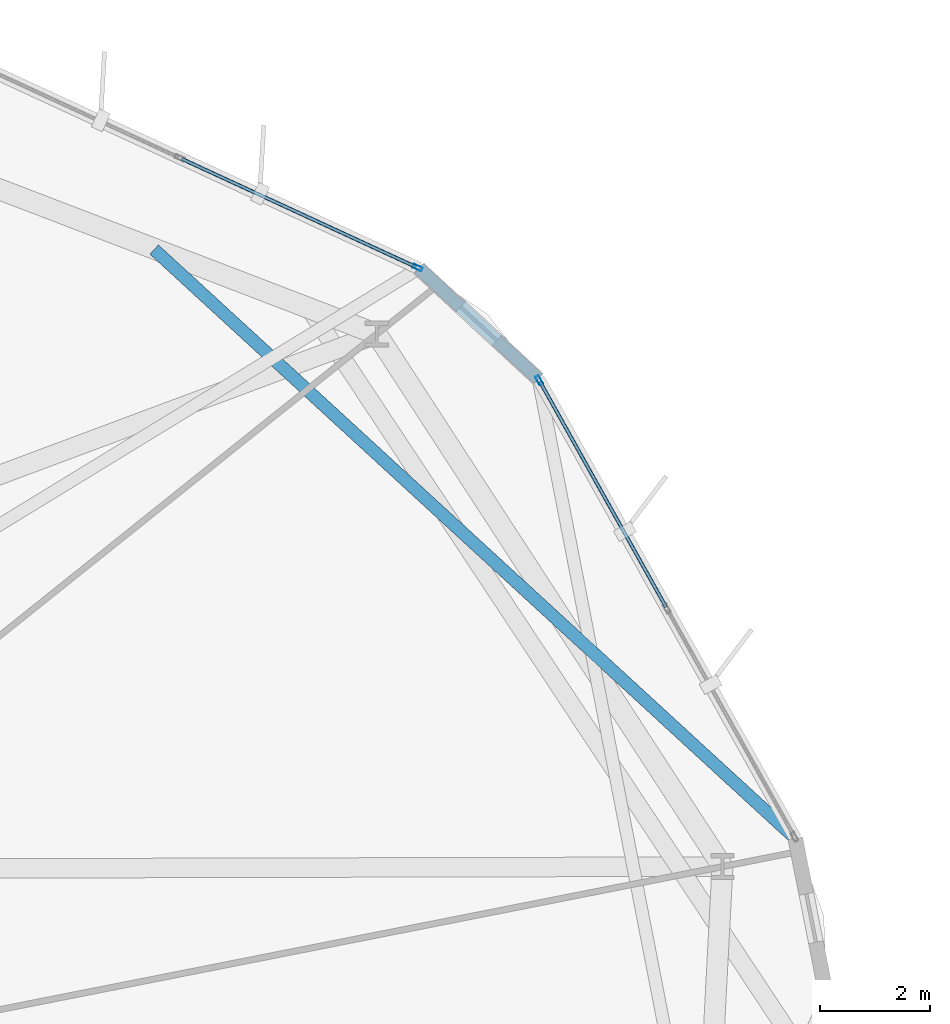
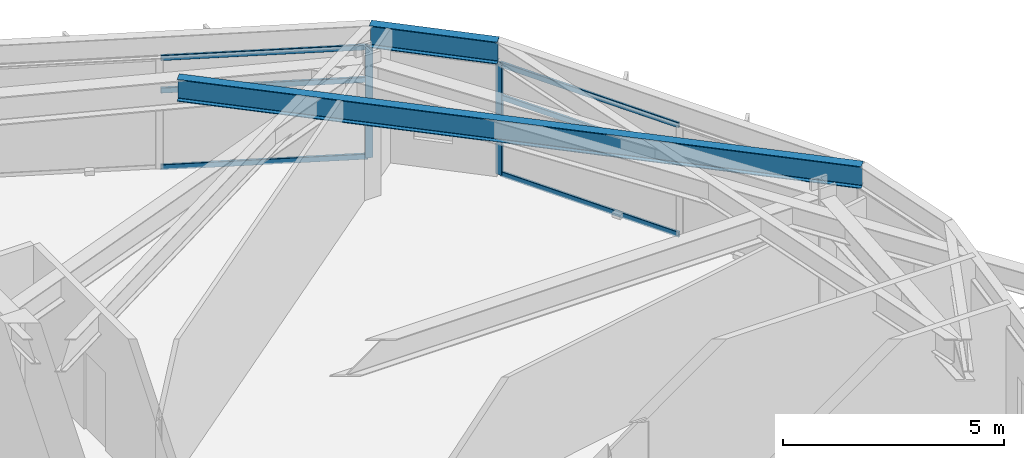
# One storey, part 15 of 22: 8 members, 2 beams, 2 elements without a shape of their own.
"""IFC4 building model written with IfcOpenShell, lengths in metres."""

from ifc_helpers import new_model, si_unit, direction, frame, origin, origin_2d, place, context, subcontext, project, spatial, hollow_rectangle, i_section, extrude, material, layer, layer_set, material_profile, profile_set, type_object, element, aggregate, save


model = new_model("IFC4")

# Units and contexts
model_context = context("Model", 3, precision=1e-05, world=origin(), true_north=direction((0.0, 1.0)))
body_context = subcontext(model_context, "Body", "Model", "MODEL_VIEW")
ifc_project = project(units=[si_unit("LENGTHUNIT", "METRE"), si_unit("AREAUNIT", "SQUARE_METRE"), si_unit("VOLUMEUNIT", "CUBIC_METRE"), si_unit("PLANEANGLEUNIT", "RADIAN"), si_unit("MASSUNIT", "GRAM", prefix="KILO")], contexts=[model_context])

# Site, building, storey
site_placement = place(None, origin())
site = spatial("IfcSite", under=ifc_project, at=site_placement, CompositionType="ELEMENT")
building_placement = place(site_placement, origin())
building = spatial("IfcBuilding", under=site, at=building_placement, Name="Soratama Intermodal Tower", CompositionType="ELEMENT")
storey_placement = place(building_placement, frame((0.0, 0.0, 70.60009765625)))
storey = spatial("IfcBuildingStorey", under=building, at=storey_placement, Name="L16", CompositionType="ELEMENT", Elevation=70.60009765625)

# Beams
ifc_material_1 = material(Name="Structural steel ASTM A992 Grade 50", Category="steel")
ifc_material_profile_1 = material_profile(ifc_material_1, i_section(OverallWidth=0.22900390625, OverallDepth=0.612060546875, WebThickness=0.011962890625, FlangeThickness=0.01953125, FilletRadius=0.012939453125, at=origin_2d()), Name="W24X84")
ifc_profile_set_1 = profile_set([ifc_material_profile_1], Name="Structural steel ASTM A992 Grade 50")
beam_type_1 = type_object("IfcBeamType", Name="BM-SPN-W24X84", PredefinedType="SPANDREL", material=ifc_profile_set_1)
beam_1_placement = place(storey_placement, frame((59.72802734375, 38.73193359375, 3.393798828125), z_axis=(-0.734014327735, 0.679133982863, 0.0), x_axis=(-0.679133982863, -0.734014327735, 0.0)))
element("IfcBeam", 1, at=beam_1_placement, inside=storey, type_object=beam_type_1, Name="BS-L16-CRN01", PredefinedType="SPANDREL", context=body_context, shape_type="SweptSolid", body=[
    extrude(i_section(OverallWidth=0.22900390625, OverallDepth=0.612060546875, WebThickness=0.011962890625, FlangeThickness=0.01953125, FilletRadius=0.012939453125, at=origin_2d()), origin(), (0.0, 0.0, 1.0), 2.96728515625),
])
ifc_material_2 = material(Name="Structural steel ASTM A992 Grade 50", Category="steel")
ifc_material_profile_2 = material_profile(ifc_material_2, i_section(OverallWidth=0.22900390625, OverallDepth=0.612060546875, WebThickness=0.011962890625, FlangeThickness=0.01953125, FilletRadius=0.012939453125, at=origin_2d()), Name="W24X84")
ifc_profile_set_2 = profile_set([ifc_material_profile_2], Name="Structural steel ASTM A992 Grade 50")
beam_type_2 = type_object("IfcBeamType", Name="BM-TIE-W24X84", PredefinedType="BEAM", material=ifc_profile_set_2)
beam_2_placement = place(storey_placement, frame((52.72607421875, 41.089111328125, 3.393798828125), z_axis=(0.736596085467, -0.676332911275, 0.0), x_axis=(0.676332911275, 0.736596085467, 0.0)))
element("IfcBeam", 2, at=beam_2_placement, inside=storey, type_object=beam_type_2, Name="BM-L16-TIE0-01", PredefinedType="BEAM", context=body_context, shape_type="SweptSolid", body=[
    extrude(i_section(OverallWidth=0.22900390625, OverallDepth=0.612060546875, WebThickness=0.011962890625, FlangeThickness=0.01953125, FilletRadius=0.012939453125, at=origin_2d()), origin(), (0.0, 0.0, 1.0), 15.860595703125),
])

# Curtain wall, member
ifc_material_3 = material(Name="Double-glazed aluminium curtain wall", Category="aluminium")
ifc_layer = layer(ifc_material_3, 0.159912109375)
ifc_layer_set = layer_set([ifc_layer], Name="Double-glazed aluminium curtain wall")
curtain_wall_type = type_object("IfcCurtainWallType", Name="CW-SYS-2", PredefinedType="NOTDEFINED", material=ifc_layer_set)
curtain_wall_1_placement = place(storey_placement, origin())
curtain_wall_1 = element("IfcCurtainWall", 3, at=curtain_wall_1_placement, inside=storey, type_object=curtain_wall_type, Name="L16 Faceted Curtain Wall F01", PredefinedType="NOTDEFINED")
ifc_material_4 = material(Name="Anodised aluminium AA 6063-T6", Category="aluminium")
ifc_material_profile_3 = material_profile(ifc_material_4, hollow_rectangle(XDim=0.074951171875, YDim=0.179931640625, WallThickness=0.006103515625, InnerFilletRadius=0.006103515625, OuterFilletRadius=0.011962890625, at=origin_2d()), Name="CWM180X75X6")
ifc_profile_set_3 = profile_set([ifc_material_profile_3], Name="Anodised aluminium AA 6063-T6")
member_type_1 = type_object("IfcMemberType", Name="MT-CWM-2", PredefinedType="MULLION", material=ifc_profile_set_3)
member_1_placement = place(storey_placement, frame((59.742431640625, 38.70556640625, 0.0), z_axis=(0.0, 0.0, 1.0), x_axis=(-0.872755737534, -0.488157169978, 0.0)))
member_1 = element("IfcMember", 4, at=member_1_placement, type_object=member_type_1, Name="CW-2 mullion 3", PredefinedType="MULLION", context=body_context, shape_type="SweptSolid", body=[
    extrude(hollow_rectangle(XDim=0.074951171875, YDim=0.179931640625, WallThickness=0.006103515625, InnerFilletRadius=0.006103515625, OuterFilletRadius=0.011962890625, at=origin_2d()), origin(), (0.0, 0.0, 1.0), 3.078857421875),
])

curtain_wall_2_placement = place(storey_placement, origin())
curtain_wall_2 = element("IfcCurtainWall", 5, at=curtain_wall_2_placement, inside=storey, type_object=curtain_wall_type, Name="L16 Faceted Curtain Wall F02", PredefinedType="NOTDEFINED")
member_2_placement = place(storey_placement, frame((57.523193359375, 40.75927734375, 0.0), z_axis=(0.0, 0.0, 1.0), x_axis=(-0.419137529357, -0.907922756343, 0.0)))
member_2 = element("IfcMember", 6, at=member_2_placement, type_object=member_type_1, Name="CW-2 mullion 1", PredefinedType="MULLION", context=body_context, shape_type="SweptSolid", body=[
    extrude(hollow_rectangle(XDim=0.074951171875, YDim=0.179931640625, WallThickness=0.006103515625, InnerFilletRadius=0.006103515625, OuterFilletRadius=0.011962890625, at=origin_2d()), origin(), (0.0, 0.0, 1.0), 3.078857421875),
])

# Member
ifc_material_5 = material(Name="Anodised aluminium AA 6063-T6", Category="aluminium")
ifc_material_profile_4 = material_profile(ifc_material_5, hollow_rectangle(XDim=0.06494140625, YDim=0.14990234375, WallThickness=0.0048828125, InnerFilletRadius=0.0048828125, OuterFilletRadius=0.010009765625, at=origin_2d()), Name="CWT150X65X5")
ifc_profile_set_4 = profile_set([ifc_material_profile_4], Name="Anodised aluminium AA 6063-T6")
member_type_2 = type_object("IfcMemberType", Name="TT-CWT-1", PredefinedType="USERDEFINED", material=ifc_profile_set_4)
member_3_placement = place(storey_placement, frame((62.0537109375, 34.5732421875, 0.02978515625), z_axis=(-0.488143482843, 0.872763392998, 0.0), x_axis=(-0.872763392998, -0.488143482843, 0.0)))
member_3 = element("IfcMember", 7, at=member_3_placement, type_object=member_type_2, Name="CW-2 transom 2.1", ObjectType="TRANSOM", PredefinedType="USERDEFINED", context=body_context, shape_type="SweptSolid", body=[
    extrude(hollow_rectangle(XDim=0.06494140625, YDim=0.14990234375, WallThickness=0.0048828125, InnerFilletRadius=0.0048828125, OuterFilletRadius=0.010009765625, at=origin_2d()), origin(), (0.0, 0.0, 1.0), 4.704833984375),
])

member_4_placement = place(storey_placement, frame((62.0537109375, 34.5732421875, 2.14990234375), z_axis=(-0.488143482843, 0.872763392998, 0.0), x_axis=(-0.872763392998, -0.488143482843, 0.0)))
member_4 = element("IfcMember", 8, at=member_4_placement, type_object=member_type_2, Name="CW-2 transom 2.2", ObjectType="TRANSOM", PredefinedType="USERDEFINED", context=body_context, shape_type="SweptSolid", body=[
    extrude(hollow_rectangle(XDim=0.06494140625, YDim=0.14990234375, WallThickness=0.0048828125, InnerFilletRadius=0.0048828125, OuterFilletRadius=0.010009765625, at=origin_2d()), origin(), (0.0, 0.0, 1.0), 4.704833984375),
])

member_5_placement = place(storey_placement, frame((62.0537109375, 34.5732421875, 3.048828125), z_axis=(-0.488143482843, 0.872763392998, 0.0), x_axis=(-0.872763392998, -0.488143482843, 0.0)))
member_5 = element("IfcMember", 9, at=member_5_placement, type_object=member_type_2, Name="CW-2 transom 2.3", ObjectType="TRANSOM", PredefinedType="USERDEFINED", context=body_context, shape_type="SweptSolid", body=[
    extrude(hollow_rectangle(XDim=0.06494140625, YDim=0.14990234375, WallThickness=0.0048828125, InnerFilletRadius=0.0048828125, OuterFilletRadius=0.010009765625, at=origin_2d()), origin(), (0.0, 0.0, 1.0), 4.704833984375),
])

aggregate(curtain_wall_1, [member_1, member_3, member_4, member_5])

member_6_placement = place(storey_placement, frame((57.495849609375, 40.771728515625, 0.02978515625), z_axis=(-0.907921410223, 0.419140445266, 0.0), x_axis=(-0.419140445266, -0.907921410223, 0.0)))
member_6 = element("IfcMember", 10, at=member_6_placement, type_object=member_type_2, Name="CW-2 transom 1.1", ObjectType="TRANSOM", PredefinedType="USERDEFINED", context=body_context, shape_type="SweptSolid", body=[
    extrude(hollow_rectangle(XDim=0.06494140625, YDim=0.14990234375, WallThickness=0.0048828125, InnerFilletRadius=0.0048828125, OuterFilletRadius=0.010009765625, at=origin_2d()), origin(), (0.0, 0.0, 1.0), 4.70458984375),
])

member_7_placement = place(storey_placement, frame((57.495849609375, 40.771728515625, 2.14990234375), z_axis=(-0.907921410223, 0.419140445266, 0.0), x_axis=(-0.419140445266, -0.907921410223, 0.0)))
member_7 = element("IfcMember", 11, at=member_7_placement, type_object=member_type_2, Name="CW-2 transom 1.2", ObjectType="TRANSOM", PredefinedType="USERDEFINED", context=body_context, shape_type="SweptSolid", body=[
    extrude(hollow_rectangle(XDim=0.06494140625, YDim=0.14990234375, WallThickness=0.0048828125, InnerFilletRadius=0.0048828125, OuterFilletRadius=0.010009765625, at=origin_2d()), origin(), (0.0, 0.0, 1.0), 4.70458984375),
])

member_8_placement = place(storey_placement, frame((57.495849609375, 40.771728515625, 3.048828125), z_axis=(-0.907921410223, 0.419140445266, 0.0), x_axis=(-0.419140445266, -0.907921410223, 0.0)))
member_8 = element("IfcMember", 12, at=member_8_placement, type_object=member_type_2, Name="CW-2 transom 1.3", ObjectType="TRANSOM", PredefinedType="USERDEFINED", context=body_context, shape_type="SweptSolid", body=[
    extrude(hollow_rectangle(XDim=0.06494140625, YDim=0.14990234375, WallThickness=0.0048828125, InnerFilletRadius=0.0048828125, OuterFilletRadius=0.010009765625, at=origin_2d()), origin(), (0.0, 0.0, 1.0), 4.70458984375),
])

aggregate(curtain_wall_2, [member_2, member_6, member_7, member_8])

save(model, "model.ifc")
